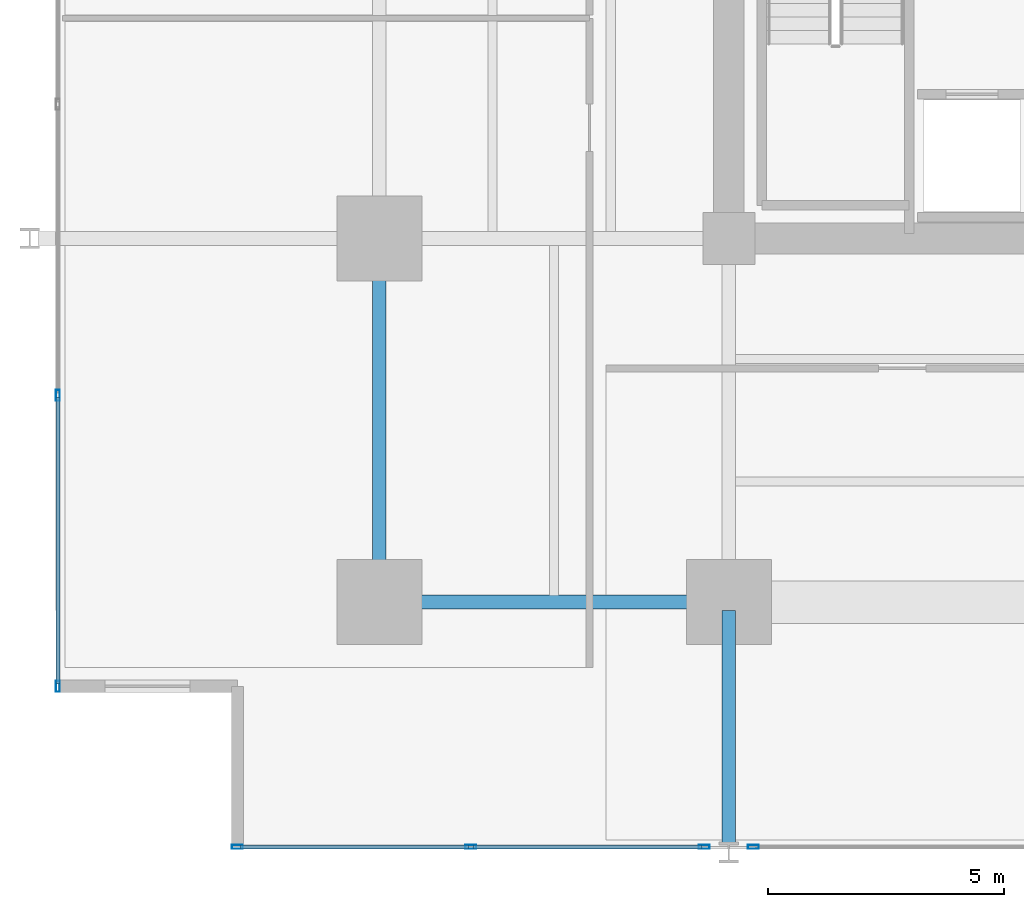
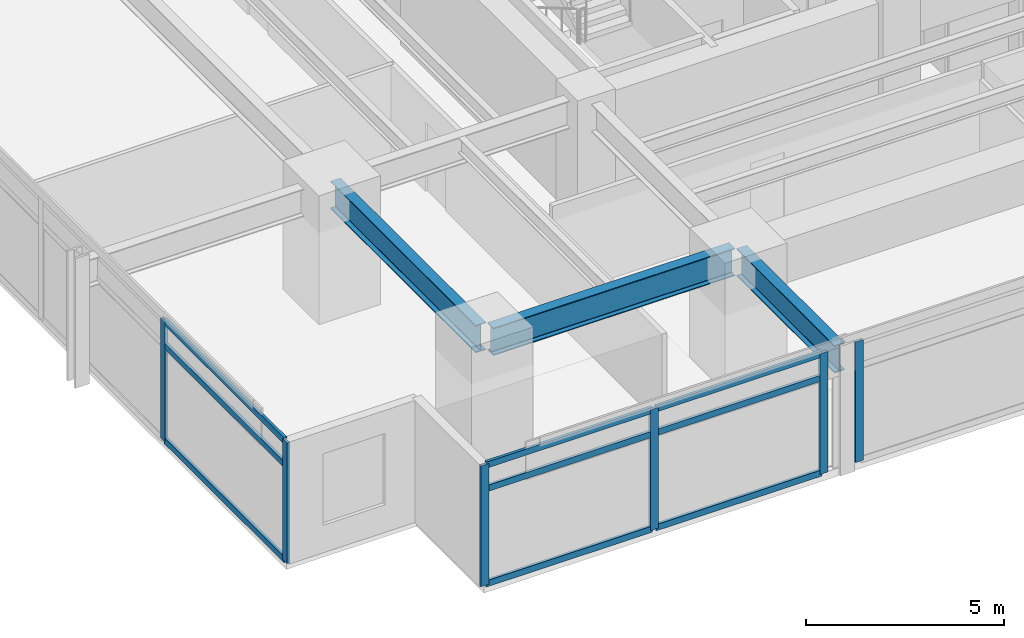
# One storey, part 2 of 20: 15 members, 3 beams, 3 elements without a shape of their own.
"""IFC4 building model written with IfcOpenShell, lengths in metres."""

from ifc_helpers import new_model, si_unit, direction, frame, origin, origin_2d, place, context, subcontext, project, spatial, hollow_rectangle, i_section, extrude, material, material_profile, profile_set, type_object, element, aggregate, save


model = new_model("IFC4")

# Units and contexts
model_context = context("Model", 3, precision=1e-05, world=origin(), true_north=direction((0.0, 1.0)))
body_context = subcontext(model_context, "Body", "Model", "MODEL_VIEW")
ifc_project = project(units=[si_unit("LENGTHUNIT", "METRE"), si_unit("AREAUNIT", "SQUARE_METRE"), si_unit("VOLUMEUNIT", "CUBIC_METRE"), si_unit("PLANEANGLEUNIT", "RADIAN"), si_unit("MASSUNIT", "GRAM", prefix="KILO")], contexts=[model_context])

# Site, building, storey
site_placement = place(None, origin())
site = spatial("IfcSite", under=ifc_project, at=site_placement, CompositionType="ELEMENT")
building_placement = place(site_placement, origin())
building = spatial("IfcBuilding", under=site, at=building_placement, Name="Kovane Verandah Tower", CompositionType="ELEMENT")
storey_placement = place(building_placement, frame((0.0, 0.0, 39.60009765625)))
storey = spatial("IfcBuildingStorey", under=building, at=storey_placement, Name="L08", CompositionType="ELEMENT", Elevation=39.60009765625)

# Beams
ifc_material_1 = material(Name="Steel S355", Category="steel")
ifc_material_profile_1 = material_profile(ifc_material_1, i_section(OverallWidth=0.293701171875, OverallDepth=0.850830078125, WebThickness=0.01611328125, FlangeThickness=0.02685546875, FilletRadius=0.017822265625, at=origin_2d()), Name="UB838x292x226")
ifc_profile_set_1 = profile_set([ifc_material_profile_1], Name="Steel S355")
beam_type = type_object("IfcBeamType", Name="BM-UB838x226", PredefinedType="BEAM", material=ifc_profile_set_1)
beam_1_placement = place(storey_placement, frame((21.780029296875, 10.800048828125, 3.33447265625), z_axis=(1.0, 0.0, 0.0), x_axis=(0.0, 1.0, 0.0)))
element("IfcBeam", 1, at=beam_1_placement, inside=storey, type_object=beam_type, Name="L08 Primary Tower Girder G-RS1", PredefinedType="BEAM", context=body_context, shape_type="SweptSolid", body=[
    extrude(i_section(OverallWidth=0.293701171875, OverallDepth=0.850830078125, WebThickness=0.01611328125, FlangeThickness=0.02685546875, FilletRadius=0.017822265625, at=origin_2d()), origin(), (0.0, 0.0, 1.0), 7.0400390625),
])
beam_2_placement = place(storey_placement, frame((21.60009765625, 10.97998046875, 3.33447265625), z_axis=(0.0, 1.0, 0.0), x_axis=(-1.0, 0.0, 0.0)))
element("IfcBeam", 2, at=beam_2_placement, inside=storey, type_object=beam_type, Name="L08 Primary Tower Girder G-RW1", PredefinedType="BEAM", context=body_context, shape_type="SweptSolid", body=[
    extrude(i_section(OverallWidth=0.293701171875, OverallDepth=0.850830078125, WebThickness=0.01611328125, FlangeThickness=0.02685546875, FilletRadius=0.017822265625, at=origin_2d()), origin(), (0.0, 0.0, 1.0), 7.340087890625),
])
beam_3_placement = place(storey_placement, frame((29.0, 10.6201171875, 3.33447265625), z_axis=(0.0, -1.0, 0.0), x_axis=(1.0, 0.0, 0.0)))
element("IfcBeam", 3, at=beam_3_placement, inside=storey, type_object=beam_type, Name="L08 Primary Tower Girder G-VS1", PredefinedType="BEAM", context=body_context, shape_type="SweptSolid", body=[
    extrude(i_section(OverallWidth=0.293701171875, OverallDepth=0.850830078125, WebThickness=0.01611328125, FlangeThickness=0.02685546875, FilletRadius=0.017822265625, at=origin_2d()), origin(), (0.0, 0.0, 1.0), 4.940185546875),
])

# Curtain wall, members
ifc_material_2 = material(Name="Champagne Anodised Aluminium Frame with Low-E Clear Laminated Glass", Category="aluminium")
curtain_wall_type = type_object("IfcCurtainWallType", Name="CW-SYS-02-LOW", PredefinedType="NOTDEFINED", material=ifc_material_2)
curtain_wall_1_placement = place(storey_placement, origin())
curtain_wall_1 = element("IfcCurtainWall", 4, at=curtain_wall_1_placement, inside=storey, type_object=curtain_wall_type, Name="L08 S Unitised Curtain Wall-1", PredefinedType="NOTDEFINED")
ifc_material_3 = material(Name="Champagne Anodised Aluminium 6063-T6", Category="aluminium")
ifc_material_profile_2 = material_profile(ifc_material_3, hollow_rectangle(XDim=0.0849609375, YDim=0.22998046875, WallThickness=0.00390625, at=origin_2d()), Name="AL85x230x4")
ifc_profile_set_2 = profile_set([ifc_material_profile_2], Name="Champagne Anodised Aluminium 6063-T6")
member_type_1 = type_object("IfcMemberType", Name="CW-MUL-85x230", PredefinedType="MULLION", material=ifc_profile_set_2)
member_1_placement = place(storey_placement, frame((18.5966796875, 5.617919921875, 0.02001953125), z_axis=(0.0, 0.0, 1.0), x_axis=(0.0, -1.0, 0.0)))
member_1 = element("IfcMember", 5, at=member_1_placement, type_object=member_type_1, Name="L08 S Unitised Curtain Wall-1 Mullion 1", PredefinedType="MULLION", context=body_context, shape_type="SweptSolid", body=[
    extrude(hollow_rectangle(XDim=0.0849609375, YDim=0.22998046875, WallThickness=0.00390625, at=origin_2d()), origin(), (0.0, 0.0, 1.0), 3.719970703125),
])
member_2_placement = place(storey_placement, frame((23.538330078125, 5.617919921875, 0.02001953125), z_axis=(0.0, 0.0, 1.0), x_axis=(0.0, -1.0, 0.0)))
member_2 = element("IfcMember", 6, at=member_2_placement, type_object=member_type_1, Name="L08 S Unitised Curtain Wall-1 Mullion 2", PredefinedType="MULLION", context=body_context, shape_type="SweptSolid", body=[
    extrude(hollow_rectangle(XDim=0.0849609375, YDim=0.22998046875, WallThickness=0.00390625, at=origin_2d()), origin(), (0.0, 0.0, 1.0), 3.719970703125),
])
member_3_placement = place(storey_placement, frame((28.47998046875, 5.617919921875, 0.02001953125), z_axis=(0.0, 0.0, 1.0), x_axis=(0.0, -1.0, 0.0)))
member_3 = element("IfcMember", 7, at=member_3_placement, type_object=member_type_1, Name="L08 S Unitised Curtain Wall-1 Mullion 3", PredefinedType="MULLION", context=body_context, shape_type="SweptSolid", body=[
    extrude(hollow_rectangle(XDim=0.0849609375, YDim=0.22998046875, WallThickness=0.00390625, at=origin_2d()), origin(), (0.0, 0.0, 1.0), 3.719970703125),
])

# Curtain wall, member
curtain_wall_2_placement = place(storey_placement, origin())
curtain_wall_2 = element("IfcCurtainWall", 8, at=curtain_wall_2_placement, inside=storey, type_object=curtain_wall_type, Name="L08 S Unitised Curtain Wall-2", PredefinedType="NOTDEFINED")
member_4_placement = place(storey_placement, frame((29.52001953125, 5.617919921875, 0.02001953125), z_axis=(0.0, 0.0, 1.0), x_axis=(0.0, -1.0, 0.0)))
member_4 = element("IfcMember", 9, at=member_4_placement, type_object=member_type_1, Name="L08 S Unitised Curtain Wall-2 Mullion 1", PredefinedType="MULLION", context=body_context, shape_type="SweptSolid", body=[
    extrude(hollow_rectangle(XDim=0.0849609375, YDim=0.22998046875, WallThickness=0.00390625, at=origin_2d()), origin(), (0.0, 0.0, 1.0), 3.719970703125),
])
aggregate(curtain_wall_2, [member_4])

# Curtain wall, members
curtain_wall_3_placement = place(storey_placement, origin())
curtain_wall_3 = element("IfcCurtainWall", 10, at=curtain_wall_3_placement, inside=storey, type_object=curtain_wall_type, Name="L08 W Unitised Curtain Wall", PredefinedType="NOTDEFINED")
member_5_placement = place(storey_placement, frame((14.796875, 15.178466796875, 0.02001953125), z_axis=(0.0, 0.0, 1.0), x_axis=(-1.0, 0.0, 0.0)))
member_5 = element("IfcMember", 11, at=member_5_placement, type_object=member_type_1, Name="L08 W Unitised Curtain Wall Mullion 6", PredefinedType="MULLION", context=body_context, shape_type="SweptSolid", body=[
    extrude(hollow_rectangle(XDim=0.0849609375, YDim=0.22998046875, WallThickness=0.00390625, at=origin_2d()), origin(), (0.0, 0.0, 1.0), 3.719970703125),
])
member_6_placement = place(storey_placement, frame((14.796875, 9.017822265625, 0.02001953125), z_axis=(0.0, 0.0, 1.0), x_axis=(-1.0, 0.0, 0.0)))
member_6 = element("IfcMember", 12, at=member_6_placement, type_object=member_type_1, Name="L08 W Unitised Curtain Wall Mullion 7", PredefinedType="MULLION", context=body_context, shape_type="SweptSolid", body=[
    extrude(hollow_rectangle(XDim=0.0849609375, YDim=0.22998046875, WallThickness=0.00390625, at=origin_2d()), origin(), (0.0, 0.0, 1.0), 3.719970703125),
])

# Member
ifc_material_profile_3 = material_profile(ifc_material_3, hollow_rectangle(XDim=0.0849609375, YDim=0.18994140625, WallThickness=0.00390625, at=origin_2d()), Name="AL85x190x4")
ifc_profile_set_3 = profile_set([ifc_material_profile_3], Name="Champagne Anodised Aluminium 6063-T6")
member_type_2 = type_object("IfcMemberType", Name="CW-TRN-85x190", PredefinedType="USERDEFINED", material=ifc_profile_set_3)
member_7_placement = place(storey_placement, frame((18.646728515625, 5.617919921875, 0.0498046875), z_axis=(1.0, 0.0, 0.0), x_axis=(0.0, 1.0, 0.0)))
member_7 = element("IfcMember", 13, at=member_7_placement, type_object=member_type_2, Name="L08 S Unitised Curtain Wall-1 Transom TB Bay 1", ObjectType="TRANSOM", PredefinedType="USERDEFINED", context=body_context, shape_type="SweptSolid", body=[
    extrude(hollow_rectangle(XDim=0.0849609375, YDim=0.18994140625, WallThickness=0.00390625, at=origin_2d()), origin(), (0.0, 0.0, 1.0), 4.841552734375),
])

member_8_placement = place(storey_placement, frame((18.646728515625, 5.617919921875, 2.97998046875), z_axis=(1.0, 0.0, 0.0), x_axis=(0.0, 1.0, 0.0)))
member_8 = element("IfcMember", 14, at=member_8_placement, type_object=member_type_2, Name="L08 S Unitised Curtain Wall-1 Transom TM Bay 1", ObjectType="TRANSOM", PredefinedType="USERDEFINED", context=body_context, shape_type="SweptSolid", body=[
    extrude(hollow_rectangle(XDim=0.0849609375, YDim=0.18994140625, WallThickness=0.00390625, at=origin_2d()), origin(), (0.0, 0.0, 1.0), 4.841552734375),
])

member_9_placement = place(storey_placement, frame((18.646728515625, 5.617919921875, 3.7099609375), z_axis=(1.0, 0.0, 0.0), x_axis=(0.0, 1.0, 0.0)))
member_9 = element("IfcMember", 15, at=member_9_placement, type_object=member_type_2, Name="L08 S Unitised Curtain Wall-1 Transom TT Bay 1", ObjectType="TRANSOM", PredefinedType="USERDEFINED", context=body_context, shape_type="SweptSolid", body=[
    extrude(hollow_rectangle(XDim=0.0849609375, YDim=0.18994140625, WallThickness=0.00390625, at=origin_2d()), origin(), (0.0, 0.0, 1.0), 4.841552734375),
])

member_10_placement = place(storey_placement, frame((23.58837890625, 5.617919921875, 0.0498046875), z_axis=(1.0, 0.0, 0.0), x_axis=(0.0, 1.0, 0.0)))
member_10 = element("IfcMember", 16, at=member_10_placement, type_object=member_type_2, Name="L08 S Unitised Curtain Wall-1 Transom TB Bay 2", ObjectType="TRANSOM", PredefinedType="USERDEFINED", context=body_context, shape_type="SweptSolid", body=[
    extrude(hollow_rectangle(XDim=0.0849609375, YDim=0.18994140625, WallThickness=0.00390625, at=origin_2d()), origin(), (0.0, 0.0, 1.0), 4.841552734375),
])

member_11_placement = place(storey_placement, frame((23.58837890625, 5.617919921875, 2.97998046875), z_axis=(1.0, 0.0, 0.0), x_axis=(0.0, 1.0, 0.0)))
member_11 = element("IfcMember", 17, at=member_11_placement, type_object=member_type_2, Name="L08 S Unitised Curtain Wall-1 Transom TM Bay 2", ObjectType="TRANSOM", PredefinedType="USERDEFINED", context=body_context, shape_type="SweptSolid", body=[
    extrude(hollow_rectangle(XDim=0.0849609375, YDim=0.18994140625, WallThickness=0.00390625, at=origin_2d()), origin(), (0.0, 0.0, 1.0), 4.841552734375),
])

member_12_placement = place(storey_placement, frame((23.58837890625, 5.617919921875, 3.7099609375), z_axis=(1.0, 0.0, 0.0), x_axis=(0.0, 1.0, 0.0)))
member_12 = element("IfcMember", 18, at=member_12_placement, type_object=member_type_2, Name="L08 S Unitised Curtain Wall-1 Transom TT Bay 2", ObjectType="TRANSOM", PredefinedType="USERDEFINED", context=body_context, shape_type="SweptSolid", body=[
    extrude(hollow_rectangle(XDim=0.0849609375, YDim=0.18994140625, WallThickness=0.00390625, at=origin_2d()), origin(), (0.0, 0.0, 1.0), 4.841552734375),
])

aggregate(curtain_wall_1, [member_1, member_2, member_3, member_7, member_8, member_9, member_10, member_11, member_12])

member_13_placement = place(storey_placement, frame((14.796875, 15.12841796875, 0.0498046875), z_axis=(0.0, -1.0, 0.0), x_axis=(1.0, 0.0, 0.0)))
member_13 = element("IfcMember", 19, at=member_13_placement, type_object=member_type_2, Name="L08 W Unitised Curtain Wall Transom TB Bay 6", ObjectType="TRANSOM", PredefinedType="USERDEFINED", context=body_context, shape_type="SweptSolid", body=[
    extrude(hollow_rectangle(XDim=0.0849609375, YDim=0.18994140625, WallThickness=0.00390625, at=origin_2d()), origin(), (0.0, 0.0, 1.0), 6.060546875),
])

member_14_placement = place(storey_placement, frame((14.796875, 15.12841796875, 2.97998046875), z_axis=(0.0, -1.0, 0.0), x_axis=(1.0, 0.0, 0.0)))
member_14 = element("IfcMember", 20, at=member_14_placement, type_object=member_type_2, Name="L08 W Unitised Curtain Wall Transom TM Bay 6", ObjectType="TRANSOM", PredefinedType="USERDEFINED", context=body_context, shape_type="SweptSolid", body=[
    extrude(hollow_rectangle(XDim=0.0849609375, YDim=0.18994140625, WallThickness=0.00390625, at=origin_2d()), origin(), (0.0, 0.0, 1.0), 6.060546875),
])

member_15_placement = place(storey_placement, frame((14.796875, 15.12841796875, 3.7099609375), z_axis=(0.0, -1.0, 0.0), x_axis=(1.0, 0.0, 0.0)))
member_15 = element("IfcMember", 21, at=member_15_placement, type_object=member_type_2, Name="L08 W Unitised Curtain Wall Transom TT Bay 6", ObjectType="TRANSOM", PredefinedType="USERDEFINED", context=body_context, shape_type="SweptSolid", body=[
    extrude(hollow_rectangle(XDim=0.0849609375, YDim=0.18994140625, WallThickness=0.00390625, at=origin_2d()), origin(), (0.0, 0.0, 1.0), 6.060546875),
])

aggregate(curtain_wall_3, [member_5, member_6, member_13, member_14, member_15])

save(model, "model.ifc")
